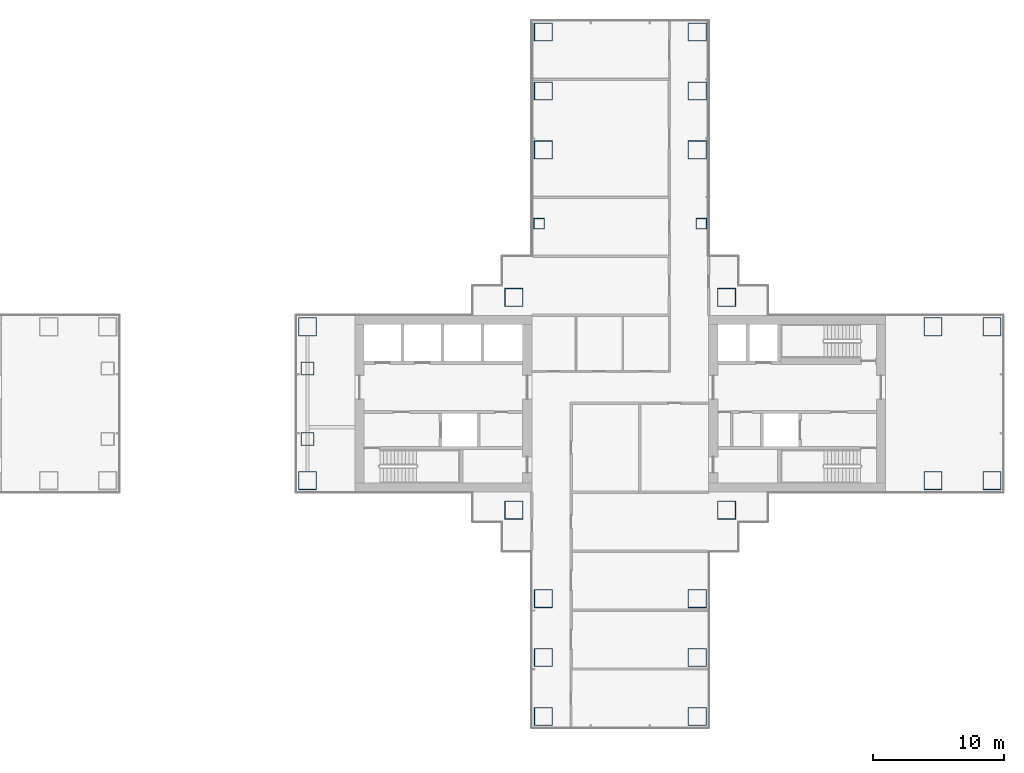
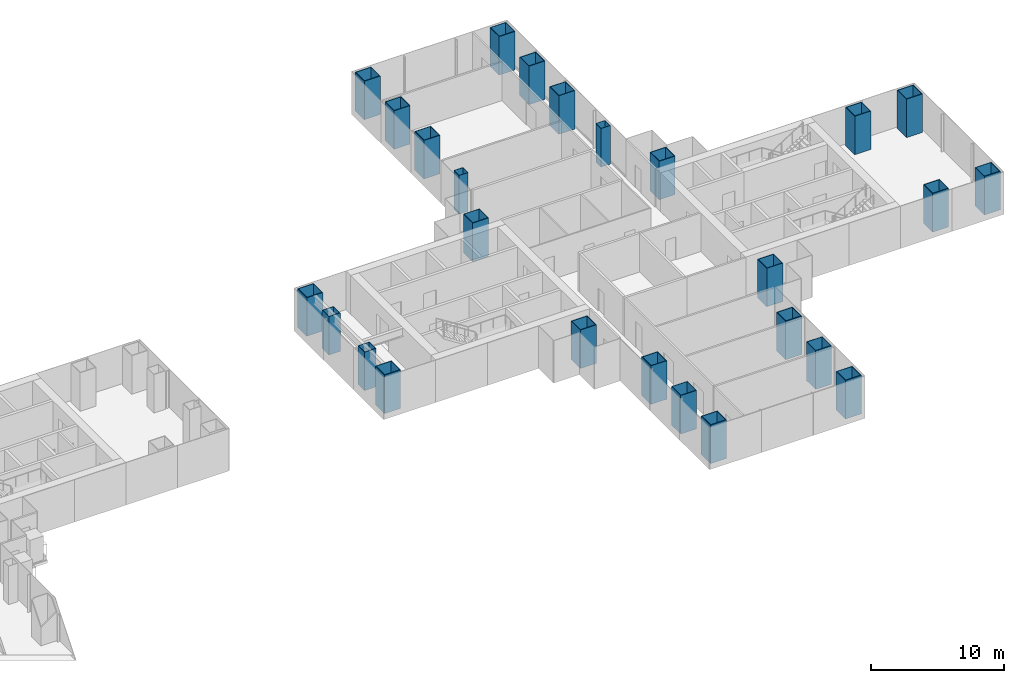
# One storey, part 2 of 21: 26 columns.
"""IFC4 building model written with IfcOpenShell, lengths in metres."""

import ifcopenshell
import ifcopenshell.guid

model = None  # the IFC model being written
_history = None  # IfcOwnerHistory: only IFC2X3 demands one
_inside = {}  # id of a spatial element -> (the spatial element, [elements in it])
_under = {}  # id of a project, library or spatial element -> (it, [spatial elements below it])
_declared = {}  # id of a project -> (the project, [libraries it declares])
_typed = {}  # id of a type object -> (the type object, [elements of that type])
_made_of = {}  # id of a material, layer set ... -> (it, [elements and type objects made of it])


def new_model(schema):
    """Start an empty IFC model of exactly this schema.

    Asked for "IFC4X3", IfcOpenShell would pick the latest addendum, in which some entities
    have other attributes; the version numbers below select the first issue.
    IFC2X3 requires an IfcOwnerHistory on every rooted entity: one is made here for all.
    """
    global model, _history
    if schema == "IFC4X3":
        model = ifcopenshell.file(schema_version=(4, 3, 0, 0))
    else:
        model = ifcopenshell.file(schema=schema)
    _inside.clear()
    _under.clear()
    _declared.clear()
    _typed.clear()
    _made_of.clear()
    _history = None
    if model.schema == "IFC2X3":
        org = make("IfcOrganization", Name="unknown")
        user = make(
            "IfcPersonAndOrganization",
            ThePerson=make("IfcPerson", FamilyName="unknown"),
            TheOrganization=org,
        )
        app = make(
            "IfcApplication",
            ApplicationDeveloper=org,
            Version="unknown",
            ApplicationFullName="unknown",
            ApplicationIdentifier="unknown",
        )
        _history = make(
            "IfcOwnerHistory",
            OwningUser=user,
            OwningApplication=app,
            ChangeAction="ADDED",
            CreationDate=0,
        )
    return model


def make(cls, **values):
    """One entity of the class cls with the attributes given. An attribute that is None is left unset."""
    return model.create_entity(
        cls, **{name: value for name, value in values.items() if value is not None}
    )


def rooted(cls, **values):
    """An entity with a GlobalId (a new one), such as an element, a storey or a relation."""
    return make(cls, GlobalId=ifcopenshell.guid.new(), OwnerHistory=_history, **values)


def si_unit(unit_type, name, prefix=None):
    """IfcSIUnit, for example si_unit("LENGTHUNIT", "METRE", prefix="MILLI")."""
    return make("IfcSIUnit", UnitType=unit_type, Prefix=prefix, Name=name)


def assignment(units):
    """IfcUnitAssignment: the units of a project."""
    return None if units is None else make("IfcUnitAssignment", Units=units)


def point(xyz):
    """IfcCartesianPoint."""
    return None if xyz is None else make("IfcCartesianPoint", Coordinates=xyz)


def direction(xyz):
    """IfcDirection."""
    return None if xyz is None else make("IfcDirection", DirectionRatios=xyz)


def frame(location, z_axis=None, x_axis=None):
    """IfcAxis2Placement3D, a coordinate frame: its origin and axes. An axis left out is left unset."""
    return make(
        "IfcAxis2Placement3D",
        Location=point(location),
        Axis=direction(z_axis),
        RefDirection=direction(x_axis),
    )


def frame_2d(location, x_axis=None):
    """IfcAxis2Placement2D, a coordinate frame in the plane: its origin and x axis."""
    return make(
        "IfcAxis2Placement2D", Location=point(location), RefDirection=direction(x_axis)
    )


def origin():
    """The frame at (0, 0, 0) with its axes left unset."""
    return frame((0.0, 0.0, 0.0))


def origin_2d():
    """The frame at (0, 0) in the plane with its x axis left unset."""
    return frame_2d((0.0, 0.0))


def place(relative_to, where):
    """IfcLocalPlacement: puts the frame where relative to a parent placement (None: the world)."""
    return make(
        "IfcLocalPlacement", PlacementRelTo=relative_to, RelativePlacement=where
    )


def context(
    kind, dimensions, precision=None, world=None, true_north=None, identifier=None
):
    """IfcGeometricRepresentationContext, for example the 3D "Model" context."""
    return make(
        "IfcGeometricRepresentationContext",
        ContextIdentifier=identifier,
        ContextType=kind,
        CoordinateSpaceDimension=dimensions,
        Precision=precision,
        WorldCoordinateSystem=world,
        TrueNorth=true_north,
    )


def subcontext(parent, identifier, kind, view, scale=None):
    """IfcGeometricRepresentationSubContext, for example "Body" below "Model"."""
    return make(
        "IfcGeometricRepresentationSubContext",
        ContextIdentifier=identifier,
        ContextType=kind,
        ParentContext=parent,
        TargetScale=scale,
        TargetView=view,
    )


def project(units=None, contexts=None):
    """IfcProject with its units and contexts."""
    return rooted(
        "IfcProject",
        Name="project",
        RepresentationContexts=contexts,
        UnitsInContext=assignment(units),
    )


def spatial(cls, under=None, at=None, **own):
    """A site, building, storey or space (cls), placed at a placement, below another one or the project."""
    s = rooted(cls, ObjectPlacement=at, **own)
    if under is not None:
        _under.setdefault(under.id(), (under, []))[1].append(s)
    return s


def profile(cls, at=None, kind="AREA", **sizes):
    """A parametric profile (cls). Its sizes go by their IFC names, for example OverallWidth=200.0."""
    return make(cls, ProfileType=kind, Position=at, **sizes)


def hollow_rectangle(**sizes):
    """IfcRectangleHollowProfileDef."""
    return profile("IfcRectangleHollowProfileDef", **sizes)


def extrude(swept, where, along, depth):
    """IfcExtrudedAreaSolid: the profile swept, set in the frame where, extruded along a direction by depth."""
    return make(
        "IfcExtrudedAreaSolid",
        SweptArea=swept,
        Position=where,
        ExtrudedDirection=direction(along),
        Depth=depth,
    )


def shape(context_of_items, identifier, shape_type, items):
    """IfcShapeRepresentation: the items that make up one representation, for example the "Body"."""
    return make(
        "IfcShapeRepresentation",
        ContextOfItems=context_of_items,
        RepresentationIdentifier=identifier,
        RepresentationType=shape_type,
        Items=items,
    )


def material(Name=None, Category=None):
    """IfcMaterial."""
    return make("IfcMaterial", Name=Name, Category=Category)


def material_profile(
    of_material, cross_section, Name=None, Category=None, Priority=None
):
    """IfcMaterialProfile: a cross section and its material."""
    return make(
        "IfcMaterialProfile",
        Name=Name,
        Material=of_material,
        Profile=cross_section,
        Priority=Priority,
        Category=Category,
    )


def profile_set(profiles, Name=None, composite=None):
    """IfcMaterialProfileSet."""
    return make(
        "IfcMaterialProfileSet",
        Name=Name,
        MaterialProfiles=profiles,
        CompositeProfile=composite,
    )


def made_of(thing, what):
    """Note that an element or type object is made of a material, layer set ...; save() writes the relation."""
    if what is not None:
        _made_of.setdefault(what.id(), (what, []))[1].append(thing)
    return thing


def type_object(cls, material=None, **own):
    """A type object (cls), such as IfcWallType, which elements share."""
    return made_of(rooted(cls, **own), material)


def element(
    cls,
    number,
    at=None,
    inside=None,
    cuts=None,
    type_object=None,
    material=None,
    context=None,
    identifier="Body",
    shape_type=None,
    held_by="IfcProductDefinitionShape",
    body=None,
    shapes=None,
    **own,
):
    """One element of the class cls, such as IfcWall. Its Tag is "e" and its number.

    at: its placement. inside: the storey or other place that contains it. cuts: it is an
    opening in that element (IfcRelVoidsElement). A single representation is given by context,
    identifier, shape_type and body (its items); several are given by shapes. held_by: the class
    of the entity that holds the representations. save() writes the other relations.
    """
    e = rooted(cls, Tag="e%d" % number, ObjectPlacement=at, **own)
    if body is not None:
        shapes = [shape(context, identifier, shape_type, body)]
    if shapes is not None:
        e.Representation = make(held_by, Representations=shapes)
    if inside is not None:
        _inside.setdefault(inside.id(), (inside, []))[1].append(e)
    if cuts is not None:
        rooted(
            "IfcRelVoidsElement", RelatingBuildingElement=cuts, RelatedOpeningElement=e
        )
    if type_object is not None:
        _typed.setdefault(type_object.id(), (type_object, []))[1].append(e)
    return made_of(e, material)


def aggregate(whole, parts):
    """IfcRelAggregates: a whole, such as a stair, and the parts it consists of."""
    return rooted("IfcRelAggregates", RelatingObject=whole, RelatedObjects=parts)


def save(model, path):
    """Write the relations noted so far, then the file.

    IfcRelAggregates (storeys below a building ...), IfcRelContainedInSpatialStructure (elements
    in a storey), IfcRelDefinesByType, IfcRelAssociatesMaterial and IfcRelDeclares: one each for
    every whole, place, type object, material and project.
    """
    for whole, parts in _under.values():
        aggregate(whole, parts)
    for where, things in _inside.values():
        rooted(
            "IfcRelContainedInSpatialStructure",
            RelatedElements=things,
            RelatingStructure=where,
        )
    for kind, things in _typed.values():
        rooted("IfcRelDefinesByType", RelatedObjects=things, RelatingType=kind)
    for what, things in _made_of.values():
        rooted("IfcRelAssociatesMaterial", RelatedObjects=things, RelatingMaterial=what)
    for by, libraries in _declared.values():
        rooted("IfcRelDeclares", RelatingContext=by, RelatedDefinitions=libraries)
    model.write(path)


model = new_model("IFC4")

# Units and contexts
model_context = context("Model", 3, precision=1e-05, world=origin(), true_north=direction((0.0, 1.0)))
body_context = subcontext(model_context, "Body", "Model", "MODEL_VIEW")
ifc_project = project(units=[si_unit("LENGTHUNIT", "METRE"), si_unit("AREAUNIT", "SQUARE_METRE"), si_unit("VOLUMEUNIT", "CUBIC_METRE"), si_unit("PLANEANGLEUNIT", "RADIAN"), si_unit("MASSUNIT", "GRAM", prefix="KILO")], contexts=[model_context])

# Site, building, storey
site_placement = place(None, origin())
site = spatial("IfcSite", under=ifc_project, at=site_placement, CompositionType="ELEMENT")
building_placement = place(site_placement, origin())
building = spatial("IfcBuilding", under=site, at=building_placement, Name="Shamsa Quay Exchange Towers", CompositionType="ELEMENT")
storey_placement = place(building_placement, frame((0.0, 0.0, 45.89990234375)))
storey = spatial("IfcBuildingStorey", under=building, at=storey_placement, Name="L09", CompositionType="ELEMENT", Elevation=45.89990234375)

# Columns
ifc_material_1 = material(Name="Concrete-filled steel tube S355 / C80/95", Category="concrete")
ifc_material_profile_1 = material_profile(ifc_material_1, hollow_rectangle(XDim=1.39990234375, YDim=1.39990234375, WallThickness=0.050048828125, at=origin_2d()), Name="CFT 1400x1400x50")
ifc_profile_set_1 = profile_set([ifc_material_profile_1], Name="Concrete-filled steel tube S355 / C80/95")
column_type_1 = type_object("IfcColumnType", Name="Column CFT 1400x1400x50", PredefinedType="COLUMN", material=ifc_profile_set_1)
for number, where, name in (
    (1, (25.625, 8.125, 0.0), "Mega column T2-CM01"),
    (2, (41.875, 8.125, 0.0), "Mega column T2-CM02"),
    (3, (25.625, -8.125, 0.0), "Mega column T2-CM03"),
    (4, (41.875, -8.125, 0.0), "Mega column T2-CM04"),
    (5, (39.625, 19.375, 0.0), "Mega column T2-CM06"),
    (6, (39.625, 23.875, 0.0), "Mega column T2-CM07"),
    (7, (39.625, 28.375, 0.0), "Mega column T2-CM08"),
    (8, (27.875, 19.375, 0.0), "Mega column T2-CM10"),
    (9, (27.875, 23.875, 0.0), "Mega column T2-CM11"),
    (10, (27.875, 28.375, 0.0), "Mega column T2-CM12"),
    (11, (39.625, -14.875, 0.0), "Mega column T2-CM13"),
    (12, (39.625, -19.375, 0.0), "Mega column T2-CM14"),
    (13, (39.625, -23.875, 0.0), "Mega column T2-CM15"),
    (14, (27.875, -14.875, 0.0), "Mega column T2-CM16"),
    (15, (27.875, -19.375, 0.0), "Mega column T2-CM17"),
    (16, (27.875, -23.875, 0.0), "Mega column T2-CM18"),
    (17, (9.875, -5.875, 0.0), "Mega column T2-CM19"),
    (18, (9.875, 5.875, 0.0), "Mega column T2-CM20"),
    (19, (57.625, -5.875, 0.0), "Mega column T2-CM21"),
    (20, (62.125, -5.875, 0.0), "Mega column T2-CM22"),
    (21, (57.625, 5.875, 0.0), "Mega column T2-CM23"),
    (22, (62.125, 5.875, 0.0), "Mega column T2-CM24"),
):
    element("IfcColumn", number, at=place(storey_placement, frame(where)), inside=storey, type_object=column_type_1, Name=name, PredefinedType="COLUMN", context=body_context, shape_type="SweptSolid", body=[
        extrude(hollow_rectangle(XDim=1.39990234375, YDim=1.39990234375, WallThickness=0.050048828125, at=origin_2d()), origin(), (0.0, 0.0, 1.0), 3.550048828125),
    ])
ifc_material_2 = material(Name="Concrete-filled steel tube S355 / C60/75", Category="concrete")
ifc_material_profile_2 = material_profile(ifc_material_2, hollow_rectangle(XDim=0.800048828125, YDim=0.800048828125, WallThickness=0.02490234375, at=origin_2d()), Name="CFT 800x800x25")
ifc_profile_set_2 = profile_set([ifc_material_profile_2], Name="Concrete-filled steel tube S355 / C60/75")
column_type_2 = type_object("IfcColumnType", Name="Column CFT 800x800x25", PredefinedType="COLUMN", material=ifc_profile_set_2)
for number, where, name in (
    (23, (39.9375, 13.75, 0.0), "Perimeter column T2-CP05"),
    (24, (27.5625, 13.75, 0.0), "Perimeter column T2-CP09"),
):
    element("IfcColumn", number, at=place(storey_placement, frame(where)), inside=storey, type_object=column_type_2, Name=name, PredefinedType="COLUMN", context=body_context, shape_type="SweptSolid", body=[
        extrude(hollow_rectangle(XDim=0.800048828125, YDim=0.800048828125, WallThickness=0.02490234375, at=origin_2d()), origin(), (0.0, 0.0, 1.0), 3.550048828125),
    ])
ifc_material_3 = material(Name="Concrete-filled steel tube S355 / C70/85", Category="concrete")
ifc_material_profile_3 = material_profile(ifc_material_3, hollow_rectangle(XDim=1.0, YDim=1.0, WallThickness=0.0400390625, at=origin_2d()), Name="CFT 1000x1000x40")
ifc_profile_set_3 = profile_set([ifc_material_profile_3], Name="Concrete-filled steel tube S355 / C70/85")
column_type_3 = type_object("IfcColumnType", Name="Landing column CFT 1000x1000x40", PredefinedType="COLUMN", material=ifc_profile_set_3)
for number, where, name in (
    (25, (9.875, -2.699951171875, 0.0), "Landing column T2 S"),
    (26, (9.875, 2.699951171875, 0.0), "Landing column T2 N"),
):
    element("IfcColumn", number, at=place(storey_placement, frame(where)), inside=storey, type_object=column_type_3, Name=name, PredefinedType="COLUMN", context=body_context, shape_type="SweptSolid", body=[
        extrude(hollow_rectangle(XDim=1.0, YDim=1.0, WallThickness=0.0400390625, at=origin_2d()), origin(), (0.0, 0.0, 1.0), 3.550048828125),
    ])

save(model, "model.ifc")
